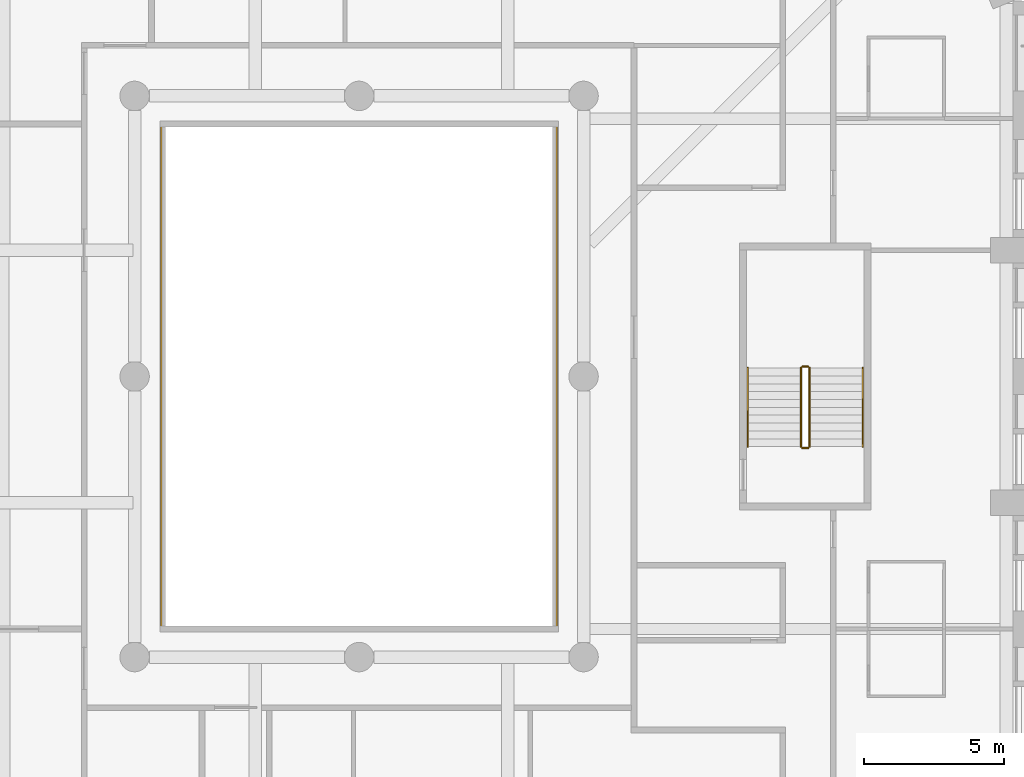
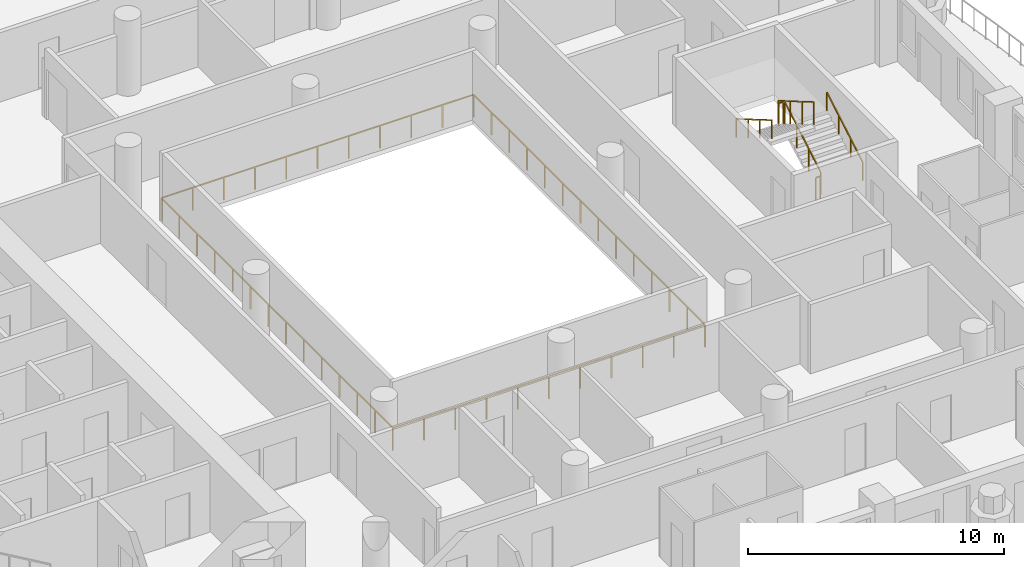
# One storey, part 15 of 20: 7 railings.
"""IFC4 building model written with IfcOpenShell, lengths in metres."""

from ifc_helpers import new_model, si_unit, direction, frame, origin, origin_2d, place, context, subcontext, project, spatial, rectangle, extrude, material, type_object, element, save


model = new_model("IFC4")

# Units and contexts
model_context = context("Model", 3, precision=1e-05, world=origin(), true_north=direction((0.0, 1.0)))
body_context = subcontext(model_context, "Body", "Model", "MODEL_VIEW")
ifc_project = project(units=[si_unit("LENGTHUNIT", "METRE"), si_unit("AREAUNIT", "SQUARE_METRE"), si_unit("VOLUMEUNIT", "CUBIC_METRE"), si_unit("PLANEANGLEUNIT", "RADIAN"), si_unit("MASSUNIT", "GRAM", prefix="KILO")], contexts=[model_context])

# Site, building, storey
site_placement = place(None, origin())
site = spatial("IfcSite", under=ifc_project, at=site_placement, CompositionType="ELEMENT")
building_placement = place(site_placement, origin())
building = spatial("IfcBuilding", under=site, at=building_placement, Name="Cypress Arch Tower", CompositionType="ELEMENT")
storey_placement = place(building_placement, frame((0.0, 0.0, 120.300048828125)))
storey = spatial("IfcBuildingStorey", under=building, at=storey_placement, Name="L25", CompositionType="ELEMENT", Elevation=120.300048828125)

# Railings
ifc_material_1 = material(Name="Stainless steel posts and handrail, laminated glass infill", Category="steel")
railing_type_1 = type_object("IfcRailingType", Name="Atrium guard GR1100A", PredefinedType="GUARDRAIL", material=ifc_material_1)
railing_1_placement = place(storey_placement, frame((8.050048828125, -9.050048828125, 0.0)))
element("IfcRailing", 1, at=railing_1_placement, inside=storey, type_object=railing_type_1, Name="Atrium guard L25", PredefinedType="GUARDRAIL", context=body_context, shape_type="SweptSolid", body=[
    extrude(rectangle(XDim=0.050048828125, YDim=0.050048828125, at=origin_2d()), frame((0.0, 0.0, 1.0751953125), z_axis=(-1.0, 0.0, 0.0), x_axis=(0.0, -1.0, 0.0)), (0.0, 0.0, 1.0), 14.10009765625),
    extrude(rectangle(XDim=0.050048828125, YDim=0.050048828125, at=origin_2d()), frame((-14.10009765625, 0.0, 1.0751953125), z_axis=(0.0, 1.0, 0.0), x_axis=(-1.0, 0.0, 0.0)), (0.0, 0.0, 1.0), 18.10009765625),
    extrude(rectangle(XDim=0.050048828125, YDim=0.050048828125, at=origin_2d()), frame((-14.10009765625, 18.10009765625, 1.0751953125), z_axis=(1.0, 0.0, 0.0), x_axis=(0.0, 1.0, 0.0)), (0.0, 0.0, 1.0), 14.10009765625),
    extrude(rectangle(XDim=0.050048828125, YDim=0.050048828125, at=origin_2d()), frame((0.0, 18.10009765625, 1.0751953125), z_axis=(0.0, -1.0, 0.0), x_axis=(1.0, 0.0, 0.0)), (0.0, 0.0, 1.0), 18.10009765625),
    extrude(rectangle(XDim=0.050048828125, YDim=0.050048828125, at=origin_2d()), origin(), (0.0, 0.0, 1.0), 1.050048828125),
    extrude(rectangle(XDim=0.050048828125, YDim=0.050048828125, at=origin_2d()), frame((-1.409912109375, 0.0, 0.0)), (0.0, 0.0, 1.0), 1.050048828125),
    extrude(rectangle(XDim=0.050048828125, YDim=0.050048828125, at=origin_2d()), frame((-2.820068359375, 0.0, 0.0)), (0.0, 0.0, 1.0), 1.050048828125),
    extrude(rectangle(XDim=0.050048828125, YDim=0.050048828125, at=origin_2d()), frame((-4.22998046875, 0.0, 0.0)), (0.0, 0.0, 1.0), 1.050048828125),
    extrude(rectangle(XDim=0.050048828125, YDim=0.050048828125, at=origin_2d()), frame((-5.64013671875, 0.0, 0.0)), (0.0, 0.0, 1.0), 1.050048828125),
    extrude(rectangle(XDim=0.050048828125, YDim=0.050048828125, at=origin_2d()), frame((-7.050048828125, 0.0, 0.0)), (0.0, 0.0, 1.0), 1.050048828125),
    extrude(rectangle(XDim=0.050048828125, YDim=0.050048828125, at=origin_2d()), frame((-8.4599609375, 0.0, 0.0)), (0.0, 0.0, 1.0), 1.050048828125),
    extrude(rectangle(XDim=0.050048828125, YDim=0.050048828125, at=origin_2d()), frame((-9.8701171875, 0.0, 0.0)), (0.0, 0.0, 1.0), 1.050048828125),
    extrude(rectangle(XDim=0.050048828125, YDim=0.050048828125, at=origin_2d()), frame((-11.280029296875, 0.0, 0.0)), (0.0, 0.0, 1.0), 1.050048828125),
    extrude(rectangle(XDim=0.050048828125, YDim=0.050048828125, at=origin_2d()), frame((-12.690185546875, 0.0, 0.0)), (0.0, 0.0, 1.0), 1.050048828125),
    extrude(rectangle(XDim=0.050048828125, YDim=0.050048828125, at=origin_2d()), frame((-14.10009765625, 0.0, 0.0)), (0.0, 0.0, 1.0), 1.050048828125),
    extrude(rectangle(XDim=0.050048828125, YDim=0.050048828125, at=origin_2d()), frame((-14.10009765625, 1.392333984375, 0.0)), (0.0, 0.0, 1.0), 1.050048828125),
    extrude(rectangle(XDim=0.050048828125, YDim=0.050048828125, at=origin_2d()), frame((-14.10009765625, 2.78466796875, 0.0)), (0.0, 0.0, 1.0), 1.050048828125),
    extrude(rectangle(XDim=0.050048828125, YDim=0.050048828125, at=origin_2d()), frame((-14.10009765625, 4.177001953125, 0.0)), (0.0, 0.0, 1.0), 1.050048828125),
    extrude(rectangle(XDim=0.050048828125, YDim=0.050048828125, at=origin_2d()), frame((-14.10009765625, 5.5693359375, 0.0)), (0.0, 0.0, 1.0), 1.050048828125),
    extrude(rectangle(XDim=0.050048828125, YDim=0.050048828125, at=origin_2d()), frame((-14.10009765625, 6.961669921875, 0.0)), (0.0, 0.0, 1.0), 1.050048828125),
    extrude(rectangle(XDim=0.050048828125, YDim=0.050048828125, at=origin_2d()), frame((-14.10009765625, 8.35400390625, 0.0)), (0.0, 0.0, 1.0), 1.050048828125),
    extrude(rectangle(XDim=0.050048828125, YDim=0.050048828125, at=origin_2d()), frame((-14.10009765625, 9.74609375, 0.0)), (0.0, 0.0, 1.0), 1.050048828125),
    extrude(rectangle(XDim=0.050048828125, YDim=0.050048828125, at=origin_2d()), frame((-14.10009765625, 11.138427734375, 0.0)), (0.0, 0.0, 1.0), 1.050048828125),
    extrude(rectangle(XDim=0.050048828125, YDim=0.050048828125, at=origin_2d()), frame((-14.10009765625, 12.53076171875, 0.0)), (0.0, 0.0, 1.0), 1.050048828125),
    extrude(rectangle(XDim=0.050048828125, YDim=0.050048828125, at=origin_2d()), frame((-14.10009765625, 13.923095703125, 0.0)), (0.0, 0.0, 1.0), 1.050048828125),
    extrude(rectangle(XDim=0.050048828125, YDim=0.050048828125, at=origin_2d()), frame((-14.10009765625, 15.3154296875, 0.0)), (0.0, 0.0, 1.0), 1.050048828125),
    extrude(rectangle(XDim=0.050048828125, YDim=0.050048828125, at=origin_2d()), frame((-14.10009765625, 16.707763671875, 0.0)), (0.0, 0.0, 1.0), 1.050048828125),
    extrude(rectangle(XDim=0.050048828125, YDim=0.050048828125, at=origin_2d()), frame((-14.10009765625, 18.10009765625, 0.0)), (0.0, 0.0, 1.0), 1.050048828125),
    extrude(rectangle(XDim=0.050048828125, YDim=0.050048828125, at=origin_2d()), frame((-12.690185546875, 18.10009765625, 0.0)), (0.0, 0.0, 1.0), 1.050048828125),
    extrude(rectangle(XDim=0.050048828125, YDim=0.050048828125, at=origin_2d()), frame((-11.280029296875, 18.10009765625, 0.0)), (0.0, 0.0, 1.0), 1.050048828125),
    extrude(rectangle(XDim=0.050048828125, YDim=0.050048828125, at=origin_2d()), frame((-9.8701171875, 18.10009765625, 0.0)), (0.0, 0.0, 1.0), 1.050048828125),
    extrude(rectangle(XDim=0.050048828125, YDim=0.050048828125, at=origin_2d()), frame((-8.4599609375, 18.10009765625, 0.0)), (0.0, 0.0, 1.0), 1.050048828125),
    extrude(rectangle(XDim=0.050048828125, YDim=0.050048828125, at=origin_2d()), frame((-7.050048828125, 18.10009765625, 0.0)), (0.0, 0.0, 1.0), 1.050048828125),
    extrude(rectangle(XDim=0.050048828125, YDim=0.050048828125, at=origin_2d()), frame((-5.64013671875, 18.10009765625, 0.0)), (0.0, 0.0, 1.0), 1.050048828125),
    extrude(rectangle(XDim=0.050048828125, YDim=0.050048828125, at=origin_2d()), frame((-4.22998046875, 18.10009765625, 0.0)), (0.0, 0.0, 1.0), 1.050048828125),
    extrude(rectangle(XDim=0.050048828125, YDim=0.050048828125, at=origin_2d()), frame((-2.820068359375, 18.10009765625, 0.0)), (0.0, 0.0, 1.0), 1.050048828125),
    extrude(rectangle(XDim=0.050048828125, YDim=0.050048828125, at=origin_2d()), frame((-1.409912109375, 18.10009765625, 0.0)), (0.0, 0.0, 1.0), 1.050048828125),
    extrude(rectangle(XDim=0.050048828125, YDim=0.050048828125, at=origin_2d()), frame((0.0, 18.10009765625, 0.0)), (0.0, 0.0, 1.0), 1.050048828125),
    extrude(rectangle(XDim=0.050048828125, YDim=0.050048828125, at=origin_2d()), frame((0.0, 16.707763671875, 0.0)), (0.0, 0.0, 1.0), 1.050048828125),
    extrude(rectangle(XDim=0.050048828125, YDim=0.050048828125, at=origin_2d()), frame((0.0, 15.3154296875, 0.0)), (0.0, 0.0, 1.0), 1.050048828125),
    extrude(rectangle(XDim=0.050048828125, YDim=0.050048828125, at=origin_2d()), frame((0.0, 13.923095703125, 0.0)), (0.0, 0.0, 1.0), 1.050048828125),
    extrude(rectangle(XDim=0.050048828125, YDim=0.050048828125, at=origin_2d()), frame((0.0, 12.53076171875, 0.0)), (0.0, 0.0, 1.0), 1.050048828125),
    extrude(rectangle(XDim=0.050048828125, YDim=0.050048828125, at=origin_2d()), frame((0.0, 11.138427734375, 0.0)), (0.0, 0.0, 1.0), 1.050048828125),
    extrude(rectangle(XDim=0.050048828125, YDim=0.050048828125, at=origin_2d()), frame((0.0, 9.74609375, 0.0)), (0.0, 0.0, 1.0), 1.050048828125),
    extrude(rectangle(XDim=0.050048828125, YDim=0.050048828125, at=origin_2d()), frame((0.0, 8.35400390625, 0.0)), (0.0, 0.0, 1.0), 1.050048828125),
    extrude(rectangle(XDim=0.050048828125, YDim=0.050048828125, at=origin_2d()), frame((0.0, 6.961669921875, 0.0)), (0.0, 0.0, 1.0), 1.050048828125),
    extrude(rectangle(XDim=0.050048828125, YDim=0.050048828125, at=origin_2d()), frame((0.0, 5.5693359375, 0.0)), (0.0, 0.0, 1.0), 1.050048828125),
    extrude(rectangle(XDim=0.050048828125, YDim=0.050048828125, at=origin_2d()), frame((0.0, 4.177001953125, 0.0)), (0.0, 0.0, 1.0), 1.050048828125),
    extrude(rectangle(XDim=0.050048828125, YDim=0.050048828125, at=origin_2d()), frame((0.0, 2.78466796875, 0.0)), (0.0, 0.0, 1.0), 1.050048828125),
    extrude(rectangle(XDim=0.050048828125, YDim=0.050048828125, at=origin_2d()), frame((0.0, 1.392333984375, 0.0)), (0.0, 0.0, 1.0), 1.050048828125),
])
ifc_material_2 = material(Name="Black powder-coated steel square bar 48 mm", Category="steel")
railing_type_2 = type_object("IfcRailingType", Name="Stair handrail HR1", PredefinedType="HANDRAIL", material=ifc_material_2)
railing_2_placement = place(storey_placement, frame((18.949951171875, -2.5, 0.16357421875)))
element("IfcRailing", 2, at=railing_2_placement, inside=storey, type_object=railing_type_2, Name="L25 C stair handrail 1", PredefinedType="HANDRAIL", context=body_context, shape_type="SweptSolid", body=[
    extrude(rectangle(XDim=0.048095703125, YDim=0.048095703125, at=origin_2d()), frame((0.0, 0.0, 0.8759765625), z_axis=(0.0, 0.863360870873, 0.504586966384), x_axis=(-1.0, 0.0, 0.0)), (0.0, 0.0, 1.0), 3.2431640625),
    extrude(rectangle(XDim=0.0419921875, YDim=0.0419921875, at=origin_2d()), origin(), (0.0, 0.0, 1.0), 0.851806640625),
    extrude(rectangle(XDim=0.0419921875, YDim=0.0419921875, at=origin_2d()), frame((0.0, 0.933349609375, 0.54541015625)), (0.0, 0.0, 1.0), 0.851806640625),
    extrude(rectangle(XDim=0.0419921875, YDim=0.0419921875, at=origin_2d()), frame((0.0, 1.86669921875, 1.091064453125)), (0.0, 0.0, 1.0), 0.851806640625),
    extrude(rectangle(XDim=0.0419921875, YDim=0.0419921875, at=origin_2d()), frame((0.0, 2.800048828125, 1.636474609375)), (0.0, 0.0, 1.0), 0.851806640625),
])
railing_3_placement = place(storey_placement, frame((14.85009765625, 0.300048828125, 1.963623046875)))
element("IfcRailing", 3, at=railing_3_placement, inside=storey, type_object=railing_type_2, Name="L25 C stair handrail 2", PredefinedType="HANDRAIL", context=body_context, shape_type="SweptSolid", body=[
    extrude(rectangle(XDim=0.048095703125, YDim=0.048095703125, at=origin_2d()), frame((0.0, 0.0, 0.8759765625), z_axis=(0.0, -0.863393664356, 0.504530851732), x_axis=(1.0, 0.0, 0.0)), (0.0, 0.0, 1.0), 3.2431640625),
    extrude(rectangle(XDim=0.0419921875, YDim=0.0419921875, at=origin_2d()), origin(), (0.0, 0.0, 1.0), 0.851806640625),
    extrude(rectangle(XDim=0.0419921875, YDim=0.0419921875, at=origin_2d()), frame((0.0, -0.933349609375, 0.54541015625)), (0.0, 0.0, 1.0), 0.851806640625),
    extrude(rectangle(XDim=0.0419921875, YDim=0.0419921875, at=origin_2d()), frame((0.0, -1.86669921875, 1.0908203125)), (0.0, 0.0, 1.0), 0.851806640625),
    extrude(rectangle(XDim=0.0419921875, YDim=0.0419921875, at=origin_2d()), frame((0.0, -2.800048828125, 1.63623046875)), (0.0, 0.0, 1.0), 0.851806640625),
])
ifc_material_3 = material(Name="Black powder-coated steel balusters", Category="steel")
railing_type_3 = type_object("IfcRailingType", Name="Stair well guard G1", PredefinedType="GUARDRAIL", material=ifc_material_3)
railing_4_placement = place(storey_placement, frame((17.050048828125, -2.5, 0.16357421875)))
element("IfcRailing", 4, at=railing_4_placement, inside=storey, type_object=railing_type_3, Name="L25 C stair guard 1", PredefinedType="GUARDRAIL", context=body_context, shape_type="SweptSolid", body=[
    extrude(rectangle(XDim=0.048095703125, YDim=0.048095703125, at=origin_2d()), frame((0.0, 0.0, 1.076171875), z_axis=(0.0, 0.863360870873, 0.504586966384), x_axis=(-1.0, 0.0, 0.0)), (0.0, 0.0, 1.0), 3.2431640625),
    extrude(rectangle(XDim=0.0419921875, YDim=0.0419921875, at=origin_2d()), origin(), (0.0, 0.0, 1.0), 1.052001953125),
    extrude(rectangle(XDim=0.0419921875, YDim=0.0419921875, at=origin_2d()), frame((0.0, 0.933349609375, 0.54541015625)), (0.0, 0.0, 1.0), 1.052001953125),
    extrude(rectangle(XDim=0.0419921875, YDim=0.0419921875, at=origin_2d()), frame((0.0, 1.86669921875, 1.091064453125)), (0.0, 0.0, 1.0), 1.052001953125),
    extrude(rectangle(XDim=0.0419921875, YDim=0.0419921875, at=origin_2d()), frame((0.0, 2.800048828125, 1.636474609375)), (0.0, 0.0, 1.0), 1.052001953125),
])
railing_5_placement = place(storey_placement, frame((17.0, 0.35009765625, 1.800048828125)))
element("IfcRailing", 5, at=railing_5_placement, inside=storey, type_object=railing_type_3, Name="L25 C stair guard 2", PredefinedType="GUARDRAIL", context=body_context, shape_type="SweptSolid", body=[
    extrude(rectangle(XDim=0.048095703125, YDim=0.048095703125, at=origin_2d()), frame((0.0, 0.0, 1.076171875), z_axis=(-1.0, 0.0, 0.0), x_axis=(0.0, -1.0, 0.0)), (0.0, 0.0, 1.0), 0.199951171875),
    extrude(rectangle(XDim=0.0419921875, YDim=0.0419921875, at=origin_2d()), origin(), (0.0, 0.0, 1.0), 1.052001953125),
    extrude(rectangle(XDim=0.0419921875, YDim=0.0419921875, at=origin_2d()), frame((-0.199951171875, 0.0, 0.0)), (0.0, 0.0, 1.0), 1.052001953125),
])
railing_6_placement = place(storey_placement, frame((16.75, 0.300048828125, 1.963623046875)))
element("IfcRailing", 6, at=railing_6_placement, inside=storey, type_object=railing_type_3, Name="L25 C stair guard 3", PredefinedType="GUARDRAIL", context=body_context, shape_type="SweptSolid", body=[
    extrude(rectangle(XDim=0.048095703125, YDim=0.048095703125, at=origin_2d()), frame((0.0, 0.0, 1.076171875), z_axis=(0.0, -0.863393664356, 0.504530851732), x_axis=(1.0, 0.0, 0.0)), (0.0, 0.0, 1.0), 3.2431640625),
    extrude(rectangle(XDim=0.0419921875, YDim=0.0419921875, at=origin_2d()), origin(), (0.0, 0.0, 1.0), 1.052001953125),
    extrude(rectangle(XDim=0.0419921875, YDim=0.0419921875, at=origin_2d()), frame((0.0, -0.933349609375, 0.54541015625)), (0.0, 0.0, 1.0), 1.052001953125),
    extrude(rectangle(XDim=0.0419921875, YDim=0.0419921875, at=origin_2d()), frame((0.0, -1.86669921875, 1.0908203125)), (0.0, 0.0, 1.0), 1.052001953125),
    extrude(rectangle(XDim=0.0419921875, YDim=0.0419921875, at=origin_2d()), frame((0.0, -2.800048828125, 1.63623046875)), (0.0, 0.0, 1.0), 1.052001953125),
])
railing_7_placement = place(storey_placement, frame((17.0, -2.550048828125, 0.0)))
element("IfcRailing", 7, at=railing_7_placement, inside=storey, type_object=railing_type_3, Name="L25 C stair guard 4", PredefinedType="GUARDRAIL", context=body_context, shape_type="SweptSolid", body=[
    extrude(rectangle(XDim=0.048095703125, YDim=0.048095703125, at=origin_2d()), frame((0.0, 0.0, 1.076171875), z_axis=(-1.0, 0.0, 0.0), x_axis=(0.0, -1.0, 0.0)), (0.0, 0.0, 1.0), 0.199951171875),
    extrude(rectangle(XDim=0.0419921875, YDim=0.0419921875, at=origin_2d()), origin(), (0.0, 0.0, 1.0), 1.052001953125),
    extrude(rectangle(XDim=0.0419921875, YDim=0.0419921875, at=origin_2d()), frame((-0.199951171875, 0.0, 0.0)), (0.0, 0.0, 1.0), 1.052001953125),
])

save(model, "model.ifc")
